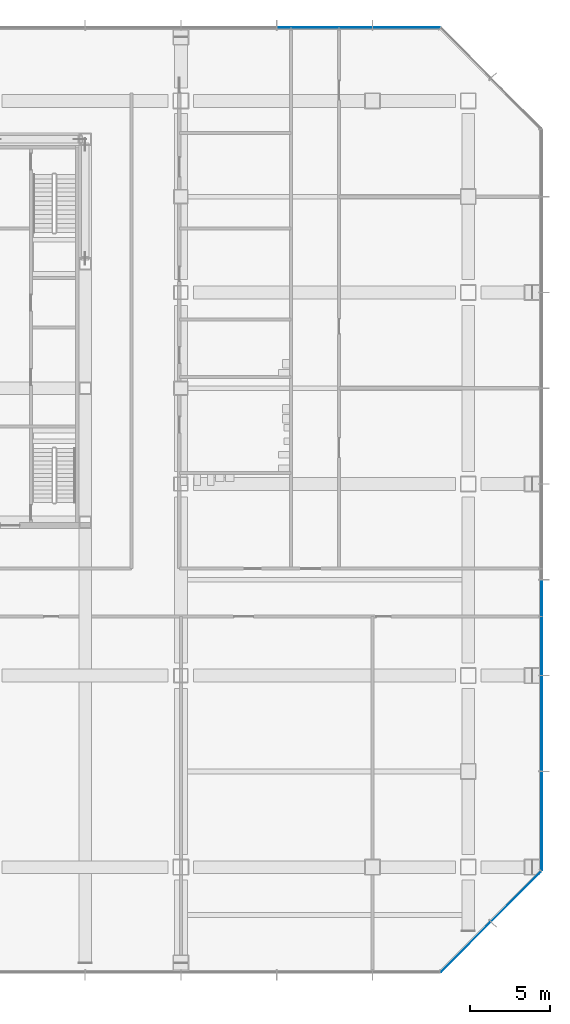
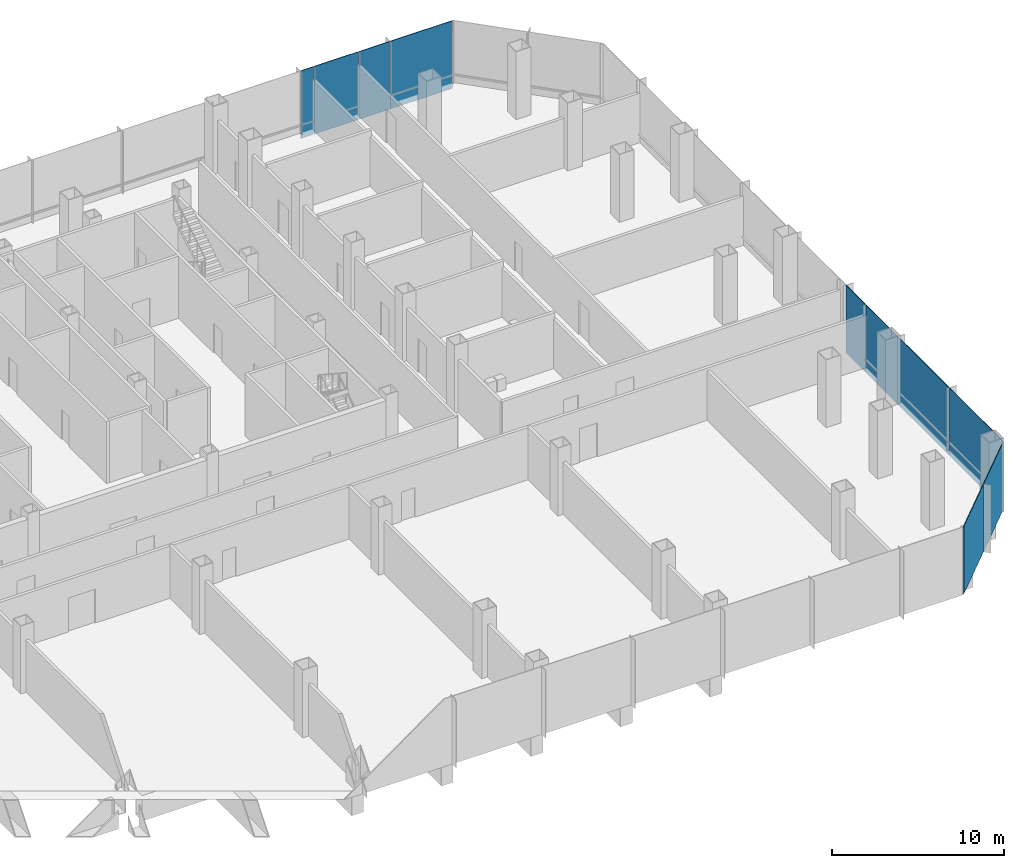
# One storey, part 20 of 34: 10 plates, 3 elements without a shape of their own.
"""IFC4 building model written with IfcOpenShell, lengths in metres."""

from ifc_helpers import new_model, si_unit, direction, frame, origin, origin_2d, place, context, subcontext, project, spatial, rectangle, extrude, material, layer, layer_set, type_object, element, aggregate, save


model = new_model("IFC4")

# Units and contexts
model_context = context("Model", 3, precision=1e-05, world=origin(), true_north=direction((0.0, 1.0)))
body_context = subcontext(model_context, "Body", "Model", "MODEL_VIEW")
ifc_project = project(units=[si_unit("LENGTHUNIT", "METRE"), si_unit("AREAUNIT", "SQUARE_METRE"), si_unit("VOLUMEUNIT", "CUBIC_METRE"), si_unit("PLANEANGLEUNIT", "RADIAN"), si_unit("MASSUNIT", "GRAM", prefix="KILO")], contexts=[model_context])

# Site, building, storey
site_placement = place(None, origin())
site = spatial("IfcSite", under=ifc_project, at=site_placement, CompositionType="ELEMENT")
building_placement = place(site_placement, origin())
building = spatial("IfcBuilding", under=site, at=building_placement, Name="Sorahane Residences", CompositionType="ELEMENT")
storey_placement = place(building_placement, frame((0.0, 0.0, 20.39990234375)))
storey = spatial("IfcBuildingStorey", under=building, at=storey_placement, Name="L02", CompositionType="ELEMENT", Elevation=20.39990234375)

# Curtain wall, plates
ifc_material_1 = material(Name="Dark low-e glass and black anodised aluminium", Category="aluminium")
curtain_wall_type = type_object("IfcCurtainWallType", Name="Curtain wall CW-3 Podium unitised wall", PredefinedType="NOTDEFINED", material=ifc_material_1)
curtain_wall_1_placement = place(storey_placement, origin())
curtain_wall_1 = element("IfcCurtainWall", 1, at=curtain_wall_1_placement, inside=storey, type_object=curtain_wall_type, Name="CW-3 curtain wall L02 SE1", PredefinedType="NOTDEFINED")
ifc_material_2 = material(Name="Dark low-e glass with black ceramic frit", Category="glass")
ifc_layer = layer(ifc_material_2, 0.0400390625)
ifc_layer_set = layer_set([ifc_layer], Name="Curtain wall glass panel dark low-e podium with black frit spandrel band")
plate_type = type_object("IfcPlateType", Name="Curtain wall glass panel dark low-e podium with black frit spandrel band", PredefinedType="CURTAIN_PANEL", material=ifc_layer_set)
plate_1_placement = place(storey_placement, frame((65.84521484375, -5.003173828125, -0.39990234375), z_axis=(0.0, 0.0, 1.0), x_axis=(0.707106781187, 0.707106781187, 0.0)))
plate_1 = element("IfcPlate", 2, at=plate_1_placement, type_object=plate_type, Name="CW-3 glass panel L02 SE1.1", PredefinedType="CURTAIN_PANEL", context=body_context, shape_type="SweptSolid", body=[
    extrude(rectangle(XDim=4.416259765625, YDim=0.0400390625, at=origin_2d()), origin(), (0.0, 0.0, 1.0), 4.800048828125),
])
plate_2_placement = place(storey_placement, frame((69.003173828125, -1.84521484375, -0.39990234375), z_axis=(0.0, 0.0, 1.0), x_axis=(0.707106781187, 0.707106781187, 0.0)))
plate_2 = element("IfcPlate", 3, at=plate_2_placement, type_object=plate_type, Name="CW-3 glass panel L02 SE1.2", PredefinedType="CURTAIN_PANEL", context=body_context, shape_type="SweptSolid", body=[
    extrude(rectangle(XDim=4.416259765625, YDim=0.0400390625, at=origin_2d()), origin(), (0.0, 0.0, 1.0), 4.800048828125),
])
aggregate(curtain_wall_1, [plate_1, plate_2])

curtain_wall_2_placement = place(storey_placement, origin())
curtain_wall_2 = element("IfcCurtainWall", 4, at=curtain_wall_2_placement, inside=storey, type_object=curtain_wall_type, Name="CW-3 curtain wall L02 E1", PredefinedType="NOTDEFINED")
plate_3_placement = place(storey_placement, frame((70.60009765625, 2.88818359375, -0.39990234375), z_axis=(0.0, 0.0, 1.0), x_axis=(0.0, 1.0, 0.0)))
plate_3 = element("IfcPlate", 5, at=plate_3_placement, type_object=plate_type, Name="CW-3 glass panel L02 E1.1", PredefinedType="CURTAIN_PANEL", context=body_context, shape_type="SweptSolid", body=[
    extrude(rectangle(XDim=6.173583984375, YDim=0.0400390625, at=origin_2d()), origin(), (0.0, 0.0, 1.0), 4.800048828125),
])
plate_4_placement = place(storey_placement, frame((70.60009765625, 9.0, -0.39990234375), z_axis=(0.0, 0.0, 1.0), x_axis=(0.0, 1.0, 0.0)))
plate_4 = element("IfcPlate", 6, at=plate_4_placement, type_object=plate_type, Name="CW-3 glass panel L02 E1.2", PredefinedType="CURTAIN_PANEL", context=body_context, shape_type="SweptSolid", body=[
    extrude(rectangle(XDim=5.949951171875, YDim=0.0400390625, at=origin_2d()), origin(), (0.0, 0.0, 1.0), 4.800048828125),
])
plate_5_placement = place(storey_placement, frame((70.60009765625, 13.85009765625, -0.39990234375), z_axis=(0.0, 0.0, 1.0), x_axis=(0.0, 1.0, 0.0)))
plate_5 = element("IfcPlate", 7, at=plate_5_placement, type_object=plate_type, Name="CW-3 glass panel L02 E1.3", PredefinedType="CURTAIN_PANEL", context=body_context, shape_type="SweptSolid", body=[
    extrude(rectangle(XDim=3.64990234375, YDim=0.0400390625, at=origin_2d()), origin(), (0.0, 0.0, 1.0), 4.800048828125),
])
plate_6_placement = place(storey_placement, frame((70.60009765625, 16.85009765625, -0.39990234375), z_axis=(0.0, 0.0, 1.0), x_axis=(0.0, 1.0, 0.0)))
plate_6 = element("IfcPlate", 8, at=plate_6_placement, type_object=plate_type, Name="CW-3 glass panel L02 E1.4", PredefinedType="CURTAIN_PANEL", context=body_context, shape_type="SweptSolid", body=[
    extrude(rectangle(XDim=2.25, YDim=0.0400390625, at=origin_2d()), origin(), (0.0, 0.0, 1.0), 4.800048828125),
])
aggregate(curtain_wall_2, [plate_3, plate_4, plate_5, plate_6])

curtain_wall_3_placement = place(storey_placement, origin())
curtain_wall_3 = element("IfcCurtainWall", 9, at=curtain_wall_3_placement, inside=storey, type_object=curtain_wall_type, Name="CW-3 curtain wall L02 N1", PredefinedType="NOTDEFINED")
plate_7_placement = place(storey_placement, frame((62.11181640625, 52.60009765625, -0.39990234375), z_axis=(0.0, 0.0, 1.0), x_axis=(-1.0, 0.0, 0.0)))
plate_7 = element("IfcPlate", 10, at=plate_7_placement, type_object=plate_type, Name="CW-3 glass panel L02 N1.1", PredefinedType="CURTAIN_PANEL", context=body_context, shape_type="SweptSolid", body=[
    extrude(rectangle(XDim=4.173583984375, YDim=0.0400390625, at=origin_2d()), origin(), (0.0, 0.0, 1.0), 4.800048828125),
])
plate_8_placement = place(storey_placement, frame((58.949951171875, 52.60009765625, -0.39990234375), z_axis=(0.0, 0.0, 1.0), x_axis=(-1.0, 0.0, 0.0)))
plate_8 = element("IfcPlate", 11, at=plate_8_placement, type_object=plate_type, Name="CW-3 glass panel L02 N1.2", PredefinedType="CURTAIN_PANEL", context=body_context, shape_type="SweptSolid", body=[
    extrude(rectangle(XDim=2.050048828125, YDim=0.0400390625, at=origin_2d()), origin(), (0.0, 0.0, 1.0), 4.800048828125),
])
plate_9_placement = place(storey_placement, frame((56.39990234375, 52.60009765625, -0.39990234375), z_axis=(0.0, 0.0, 1.0), x_axis=(-1.0, 0.0, 0.0)))
plate_9 = element("IfcPlate", 12, at=plate_9_placement, type_object=plate_type, Name="CW-3 glass panel L02 N1.3", PredefinedType="CURTAIN_PANEL", context=body_context, shape_type="SweptSolid", body=[
    extrude(rectangle(XDim=2.949951171875, YDim=0.0400390625, at=origin_2d()), origin(), (0.0, 0.0, 1.0), 4.800048828125),
])
plate_10_placement = place(storey_placement, frame((54.449951171875, 52.60009765625, -0.39990234375), z_axis=(0.0, 0.0, 1.0), x_axis=(-1.0, 0.0, 0.0)))
plate_10 = element("IfcPlate", 13, at=plate_10_placement, type_object=plate_type, Name="CW-3 glass panel L02 N1.4", PredefinedType="CURTAIN_PANEL", context=body_context, shape_type="SweptSolid", body=[
    extrude(rectangle(XDim=0.85009765625, YDim=0.0400390625, at=origin_2d()), origin(), (0.0, 0.0, 1.0), 4.800048828125),
])
aggregate(curtain_wall_3, [plate_7, plate_8, plate_9, plate_10])

save(model, "model.ifc")
